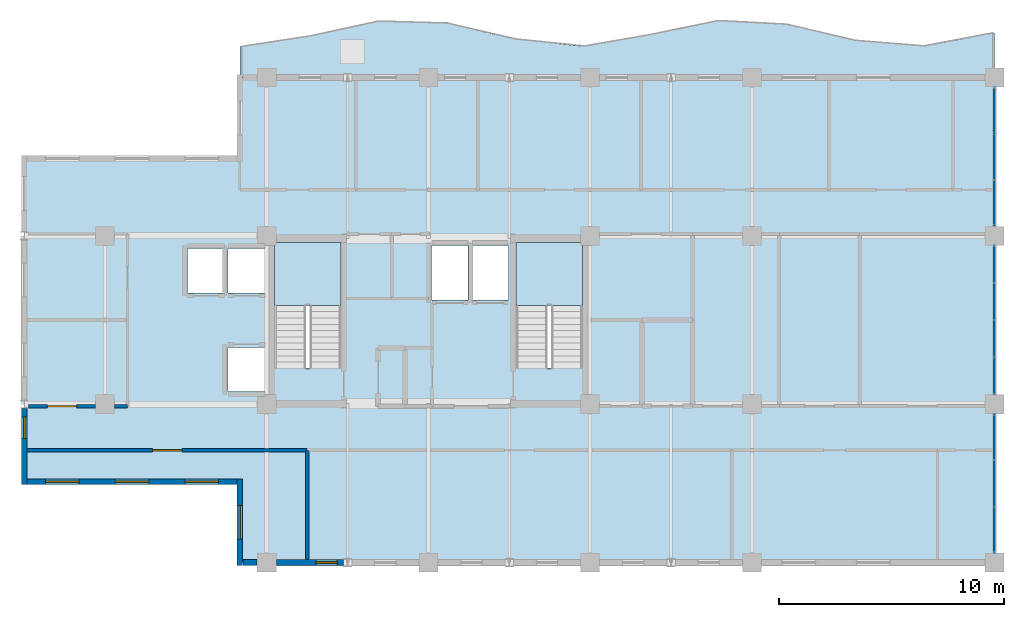
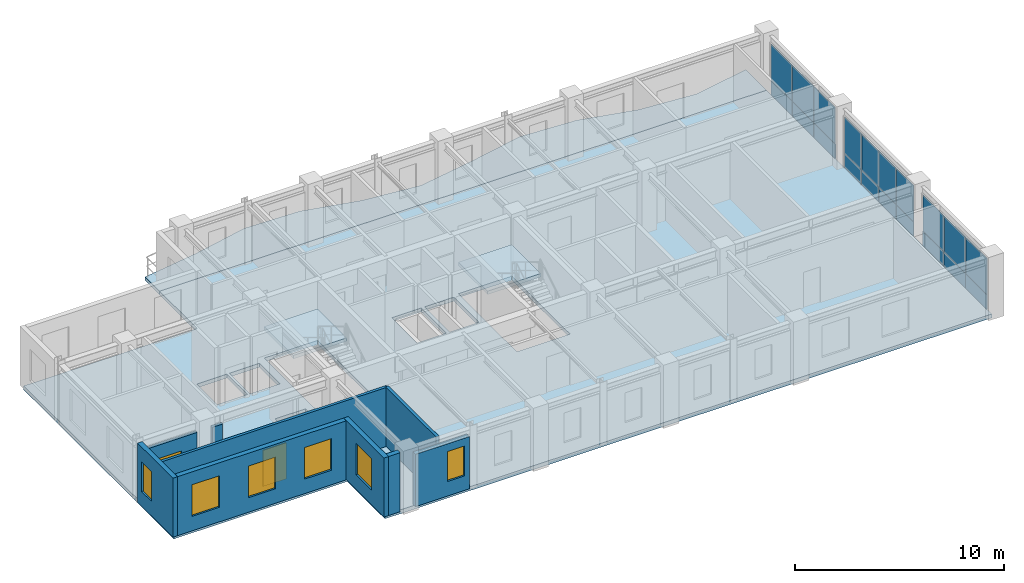
# One storey, part 5 of 10: 20 plates, 9 walls, 6 windows, 4 slabs, 2 doors, 8 openings, 5 elements without a shape of their own.
"""IFC4 building model written with IfcOpenShell, lengths in metres."""

from ifc_helpers import new_model, si_unit, direction, frame, frame_2d, origin, origin_2d, place, context, subcontext, project, spatial, polyline, rectangle, outline, extrude, source, transform, mapped, material, layer, layer_set, type_object, element, fill, aggregate, save


model = new_model("IFC4")

# Units and contexts
model_context = context("Model", 3, precision=1e-05, world=origin(), true_north=direction((0.0, 1.0)))
body_context = subcontext(model_context, "Body", "Model", "MODEL_VIEW")
ifc_project = project(units=[si_unit("LENGTHUNIT", "METRE"), si_unit("AREAUNIT", "SQUARE_METRE"), si_unit("VOLUMEUNIT", "CUBIC_METRE"), si_unit("PLANEANGLEUNIT", "RADIAN"), si_unit("MASSUNIT", "GRAM", prefix="KILO")], contexts=[model_context])

# Site, building, storey
site_placement = place(None, origin())
site = spatial("IfcSite", under=ifc_project, at=site_placement, CompositionType="ELEMENT")
building_placement = place(site_placement, origin())
building = spatial("IfcBuilding", under=site, at=building_placement, Name="Kaliganga Portal Commons", CompositionType="ELEMENT")
storey_placement = place(building_placement, frame((0.0, 0.0, 275.800048828125)))
storey = spatial("IfcBuildingStorey", under=building, at=storey_placement, Name="L71", CompositionType="ELEMENT", Elevation=275.800048828125)

# Slab
ifc_material_1 = material(Name="Concrete C40/50", Category="concrete")
ifc_layer_1 = layer(ifc_material_1, 0.2099609375)
ifc_layer_set_1 = layer_set([ifc_layer_1], Name="Concrete C40/50")
slab_type_1 = type_object("IfcSlabType", Name="SLB-BALC-210", PredefinedType="FLOOR", material=ifc_layer_set_1)
slab_1_placement = place(storey_placement, frame((0.0, 0.0, -0.2099609375)))
element("IfcSlab", 1, at=slab_1_placement, inside=storey, type_object=slab_type_1, Name="Scalloped Tree-Planter Balcony Slab L71 balc_north", PredefinedType="FLOOR", context=body_context, shape_type="SweptSolid", body=[
    extrude(outline(polyline([(46.800048828125, 43.199951171875), (46.800048828125, 45.19091796875), (43.74560546875, 44.607666015625), (40.69091796875, 44.85595703125), (37.636474609375, 45.581787109375), (34.581787109375, 45.75048828125), (31.52734375, 45.12158203125), (28.47265625, 44.591552734375), (25.418212890625, 44.916015625), (22.363525390625, 45.632568359375), (19.30908203125, 45.719482421875), (16.25439453125, 45.052978515625), (13.199951171875, 44.583251953125), (13.199951171875, 43.199951171875), (46.800048828125, 43.199951171875)])), origin(), (0.0, 0.0, 1.0), 0.2099609375),
])

# Stair, slab
stair_type = type_object("IfcStairType", Name="ST-CORE-DOGLEG", PredefinedType="HALF_TURN_STAIR", material=ifc_material_1)
stair_1_placement = place(storey_placement, origin())
stair_1 = element("IfcStair", 2, at=stair_1_placement, inside=storey, type_object=stair_type, Name="L71 Protected Exit Stair ST-A1", PredefinedType="HALF_TURN_STAIR")
ifc_layer_2 = layer(ifc_material_1, 0.199951171875)
ifc_layer_set_2 = layer_set([ifc_layer_2], Name="Concrete C40/50")
slab_type_2 = type_object("IfcSlabType", Name="SLB-STAIR-LND", PredefinedType="LANDING", material=ifc_layer_set_2)
slab_2_placement = place(storey_placement, frame((0.0, 0.0, 1.64990234375)))
slab_2 = element("IfcSlab", 3, at=slab_2_placement, type_object=slab_type_2, Name="ST-A1 landing 1", PredefinedType="LANDING", context=body_context, shape_type="SweptSolid", body=[
    extrude(outline(polyline([(17.699951171875, 33.050048828125), (17.699951171875, 35.85009765625), (14.75, 35.85009765625), (14.75, 33.050048828125), (17.699951171875, 33.050048828125)])), origin(), (0.0, 0.0, 1.0), 0.199951171875),
])
aggregate(stair_1, [slab_2])

stair_2_placement = place(storey_placement, origin())
stair_2 = element("IfcStair", 4, at=stair_2_placement, inside=storey, type_object=stair_type, Name="L71 Protected Exit Stair ST-A2", PredefinedType="HALF_TURN_STAIR")
slab_3_placement = place(storey_placement, frame((0.0, 0.0, 1.64990234375)))
slab_3 = element("IfcSlab", 5, at=slab_3_placement, type_object=slab_type_2, Name="ST-A2 landing 1", PredefinedType="LANDING", context=body_context, shape_type="SweptSolid", body=[
    extrude(outline(polyline([(28.449951171875, 33.050048828125), (28.449951171875, 35.85009765625), (25.5, 35.85009765625), (25.5, 33.050048828125), (28.449951171875, 33.050048828125)])), origin(), (0.0, 0.0, 1.0), 0.199951171875),
])
aggregate(stair_2, [slab_3])

# Slab
ifc_layer_3 = layer(ifc_material_1, 0.22509765625)
ifc_layer_set_3 = layer_set([ifc_layer_3], Name="Concrete C40/50")
slab_type_3 = type_object("IfcSlabType", Name="SLB-TWR-220", PredefinedType="FLOOR", material=ifc_layer_set_3)
slab_4_placement = place(storey_placement, frame((0.0, 0.0, -0.22509765625)))
element("IfcSlab", 6, at=slab_4_placement, inside=storey, type_object=slab_type_3, Name="Structural Floor Slab L71", PredefinedType="FLOOR", context=body_context, shape_type="SweptSolid", body=[
    extrude(outline(polyline([(13.199951171875, 21.60009765625), (46.800048828125, 21.60009765625), (46.800048828125, 43.199951171875), (13.199951171875, 43.199951171875), (13.199951171875, 39.60009765625), (3.60009765625, 39.60009765625), (3.60009765625, 25.199951171875), (13.199951171875, 25.199951171875), (13.199951171875, 21.60009765625)]), holes=[polyline([(14.75, 30.25390625), (14.75, 35.85009765625), (17.699951171875, 35.85009765625), (17.699951171875, 30.25390625), (14.75, 30.25390625)]), polyline([(25.5, 30.25390625), (25.5, 35.85009765625), (28.449951171875, 35.85009765625), (28.449951171875, 30.25390625), (25.5, 30.25390625)]), polyline([(12.6650390625, 33.614990234375), (12.6650390625, 35.5849609375), (14.3349609375, 35.5849609375), (14.3349609375, 33.614990234375), (12.6650390625, 33.614990234375)]), polyline([(12.6650390625, 29.215087890625), (12.6650390625, 31.18505859375), (14.3349609375, 31.18505859375), (14.3349609375, 29.215087890625), (12.6650390625, 29.215087890625)]), polyline([(10.864990234375, 33.614990234375), (10.864990234375, 35.5849609375), (12.534912109375, 35.5849609375), (12.534912109375, 33.614990234375), (10.864990234375, 33.614990234375)]), polyline([(21.739990234375, 33.2900390625), (21.739990234375, 35.7099609375), (23.360107421875, 35.7099609375), (23.360107421875, 33.2900390625), (21.739990234375, 33.2900390625)]), polyline([(23.5400390625, 33.2900390625), (23.5400390625, 35.7099609375), (25.159912109375, 35.7099609375), (25.159912109375, 33.2900390625), (23.5400390625, 33.2900390625)])]), origin(), (0.0, 0.0, 1.0), 0.22509765625),
])

# Curtain wall, plates
ifc_material_2 = material(Name="Anodized Aluminium and Laminated Low-E Glass", Category="aluminium")
ifc_layer_4 = layer(ifc_material_2, 0.18994140625)
ifc_layer_set_4 = layer_set([ifc_layer_4], Name="Anodized Aluminium and Laminated Low-E Glass")
curtain_wall_type = type_object("IfcCurtainWallType", Name="CW-SYS-05", PredefinedType="NOTDEFINED", material=ifc_layer_set_4)
curtain_wall_1_placement = place(storey_placement, origin())
curtain_wall_1 = element("IfcCurtainWall", 7, at=curtain_wall_1_placement, inside=storey, type_object=curtain_wall_type, Name="CW 05 L71 P1E01S1", PredefinedType="NOTDEFINED")
ifc_material_3 = material(Name="Insulated Dark Spandrel Panel", Category="metal")
ifc_layer_5 = layer(ifc_material_3, 0.044921875)
ifc_layer_set_5 = layer_set([ifc_layer_5], Name="Insulated Dark Spandrel Panel")
plate_type_1 = type_object("IfcPlateType", Name="PLT-SPN-45", PredefinedType="SHEET", material=ifc_layer_set_5)
shared_shape_1 = source(origin(), body_context, "Body", "SweptSolid", [
    extrude(rectangle(XDim=2.02587890625, YDim=0.044921875, at=origin_2d()), origin(), (0.0, 0.0, 1.0), 0.841064453125),
])
plate_1_placement = place(storey_placement, frame((46.800048828125, 23.05908203125, 0.009765625), z_axis=(0.0, 0.0, 1.0), x_axis=(0.0, 1.0, 0.0)))
plate_1 = element("IfcPlate", 8, at=plate_1_placement, type_object=plate_type_1, Name="CW:05:L71:P1E01S1 Spandrel 00", PredefinedType="SHEET", context=body_context, shape_type="MappedRepresentation", body=[
    mapped(shared_shape_1, transform((0.0, 0.0, 0.0), x_axis=(1.0, 0.0, 0.0), y_axis=(0.0, 1.0, 0.0), z_axis=(0.0, 0.0, 1.0), scale=1.0)),
])
plate_2_placement = place(storey_placement, frame((46.800048828125, 25.125, 0.009765625), z_axis=(0.0, 0.0, 1.0), x_axis=(0.0, 1.0, 0.0)))
plate_2 = element("IfcPlate", 9, at=plate_2_placement, type_object=plate_type_1, Name="CW:05:L71:P1E01S1 Spandrel 01", PredefinedType="SHEET", context=body_context, shape_type="MappedRepresentation", body=[
    mapped(shared_shape_1, transform((0.0, 0.0, 0.0), x_axis=(1.0, 0.0, 0.0), y_axis=(0.0, 1.0, 0.0), z_axis=(0.0, 0.0, 1.0), scale=1.0)),
])
plate_3_placement = place(storey_placement, frame((46.800048828125, 27.19091796875, 0.009765625), z_axis=(0.0, 0.0, 1.0), x_axis=(0.0, 1.0, 0.0)))
plate_3 = element("IfcPlate", 10, at=plate_3_placement, type_object=plate_type_1, Name="CW:05:L71:P1E01S1 Spandrel 02", PredefinedType="SHEET", context=body_context, shape_type="MappedRepresentation", body=[
    mapped(shared_shape_1, transform((0.0, 0.0, 0.0), x_axis=(1.0, 0.0, 0.0), y_axis=(0.0, 1.0, 0.0), z_axis=(0.0, 0.0, 1.0), scale=1.0)),
])

curtain_wall_2_placement = place(storey_placement, origin())
curtain_wall_2 = element("IfcCurtainWall", 11, at=curtain_wall_2_placement, inside=storey, type_object=curtain_wall_type, Name="CW 05 L71 P1E01S3", PredefinedType="NOTDEFINED")
plate_4_placement = place(storey_placement, frame((46.800048828125, 37.60888671875, 0.009765625), z_axis=(0.0, 0.0, 1.0), x_axis=(0.0, 1.0, 0.0)))
plate_4 = element("IfcPlate", 12, at=plate_4_placement, type_object=plate_type_1, Name="CW:05:L71:P1E01S3 Spandrel 00", PredefinedType="SHEET", context=body_context, shape_type="MappedRepresentation", body=[
    mapped(shared_shape_1, transform((0.0, 0.0, 0.0), x_axis=(1.0, 0.0, 0.0), y_axis=(0.0, 1.0, 0.0), z_axis=(0.0, 0.0, 1.0), scale=1.0)),
])
plate_5_placement = place(storey_placement, frame((46.800048828125, 39.675048828125, 0.009765625), z_axis=(0.0, 0.0, 1.0), x_axis=(0.0, 1.0, 0.0)))
plate_5 = element("IfcPlate", 13, at=plate_5_placement, type_object=plate_type_1, Name="CW:05:L71:P1E01S3 Spandrel 01", PredefinedType="SHEET", context=body_context, shape_type="MappedRepresentation", body=[
    mapped(shared_shape_1, transform((0.0, 0.0, 0.0), x_axis=(1.0, 0.0, 0.0), y_axis=(0.0, 1.0, 0.0), z_axis=(0.0, 0.0, 1.0), scale=1.0)),
])
plate_6_placement = place(storey_placement, frame((46.800048828125, 41.740966796875, 0.009765625), z_axis=(0.0, 0.0, 1.0), x_axis=(0.0, 1.0, 0.0)))
plate_6 = element("IfcPlate", 14, at=plate_6_placement, type_object=plate_type_1, Name="CW:05:L71:P1E01S3 Spandrel 02", PredefinedType="SHEET", context=body_context, shape_type="MappedRepresentation", body=[
    mapped(shared_shape_1, transform((0.0, 0.0, 0.0), x_axis=(1.0, 0.0, 0.0), y_axis=(0.0, 1.0, 0.0), z_axis=(0.0, 0.0, 1.0), scale=1.0)),
])

# Plate
ifc_material_4 = material(Name="Dark Solar-Control Laminated Low-E IGU", Category="glass")
ifc_layer_6 = layer(ifc_material_4, 0.028076171875)
ifc_layer_set_6 = layer_set([ifc_layer_6], Name="Dark Solar-Control Laminated Low-E IGU")
plate_type_2 = type_object("IfcPlateType", Name="PLT-GLZ-28", PredefinedType="CURTAIN_PANEL", material=ifc_layer_set_6)
shared_shape_2 = source(origin(), body_context, "Body", "SweptSolid", [
    extrude(rectangle(XDim=2.02587890625, YDim=0.028076171875, at=origin_2d()), origin(), (0.0, 0.0, 1.0), 2.114013671875),
])
plate_7_placement = place(storey_placement, frame((46.800048828125, 23.05908203125, 0.87109375), z_axis=(0.0, 0.0, 1.0), x_axis=(0.0, 1.0, 0.0)))
plate_7 = element("IfcPlate", 15, at=plate_7_placement, type_object=plate_type_2, Name="CW:05:L71:P1E01S1 Vision IGU 00", PredefinedType="CURTAIN_PANEL", context=body_context, shape_type="MappedRepresentation", body=[
    mapped(shared_shape_2, transform((0.0, 0.0, 0.0), x_axis=(1.0, 0.0, 0.0), y_axis=(0.0, 1.0, 0.0), z_axis=(0.0, 0.0, 1.0), scale=1.0)),
])

plate_8_placement = place(storey_placement, frame((46.800048828125, 25.125, 0.87109375), z_axis=(0.0, 0.0, 1.0), x_axis=(0.0, 1.0, 0.0)))
plate_8 = element("IfcPlate", 16, at=plate_8_placement, type_object=plate_type_2, Name="CW:05:L71:P1E01S1 Vision IGU 01", PredefinedType="CURTAIN_PANEL", context=body_context, shape_type="MappedRepresentation", body=[
    mapped(shared_shape_2, transform((0.0, 0.0, 0.0), x_axis=(1.0, 0.0, 0.0), y_axis=(0.0, 1.0, 0.0), z_axis=(0.0, 0.0, 1.0), scale=1.0)),
])

plate_9_placement = place(storey_placement, frame((46.800048828125, 27.19091796875, 0.87109375), z_axis=(0.0, 0.0, 1.0), x_axis=(0.0, 1.0, 0.0)))
plate_9 = element("IfcPlate", 17, at=plate_9_placement, type_object=plate_type_2, Name="CW:05:L71:P1E01S1 Vision IGU 02", PredefinedType="CURTAIN_PANEL", context=body_context, shape_type="MappedRepresentation", body=[
    mapped(shared_shape_2, transform((0.0, 0.0, 0.0), x_axis=(1.0, 0.0, 0.0), y_axis=(0.0, 1.0, 0.0), z_axis=(0.0, 0.0, 1.0), scale=1.0)),
])

aggregate(curtain_wall_1, [plate_1, plate_7, plate_2, plate_8, plate_3, plate_9])

plate_10_placement = place(storey_placement, frame((46.800048828125, 37.60888671875, 0.87109375), z_axis=(0.0, 0.0, 1.0), x_axis=(0.0, 1.0, 0.0)))
plate_10 = element("IfcPlate", 18, at=plate_10_placement, type_object=plate_type_2, Name="CW:05:L71:P1E01S3 Vision IGU 00", PredefinedType="CURTAIN_PANEL", context=body_context, shape_type="MappedRepresentation", body=[
    mapped(shared_shape_2, transform((0.0, 0.0, 0.0), x_axis=(1.0, 0.0, 0.0), y_axis=(0.0, 1.0, 0.0), z_axis=(0.0, 0.0, 1.0), scale=1.0)),
])

plate_11_placement = place(storey_placement, frame((46.800048828125, 39.675048828125, 0.87109375), z_axis=(0.0, 0.0, 1.0), x_axis=(0.0, 1.0, 0.0)))
plate_11 = element("IfcPlate", 19, at=plate_11_placement, type_object=plate_type_2, Name="CW:05:L71:P1E01S3 Vision IGU 01", PredefinedType="CURTAIN_PANEL", context=body_context, shape_type="MappedRepresentation", body=[
    mapped(shared_shape_2, transform((0.0, 0.0, 0.0), x_axis=(1.0, 0.0, 0.0), y_axis=(0.0, 1.0, 0.0), z_axis=(0.0, 0.0, 1.0), scale=1.0)),
])

plate_12_placement = place(storey_placement, frame((46.800048828125, 41.740966796875, 0.87109375), z_axis=(0.0, 0.0, 1.0), x_axis=(0.0, 1.0, 0.0)))
plate_12 = element("IfcPlate", 20, at=plate_12_placement, type_object=plate_type_2, Name="CW:05:L71:P1E01S3 Vision IGU 02", PredefinedType="CURTAIN_PANEL", context=body_context, shape_type="MappedRepresentation", body=[
    mapped(shared_shape_2, transform((0.0, 0.0, 0.0), x_axis=(1.0, 0.0, 0.0), y_axis=(0.0, 1.0, 0.0), z_axis=(0.0, 0.0, 1.0), scale=1.0)),
])

aggregate(curtain_wall_2, [plate_4, plate_10, plate_5, plate_11, plate_6, plate_12])

# Curtain wall, plates
curtain_wall_3_placement = place(storey_placement, origin())
curtain_wall_3 = element("IfcCurtainWall", 21, at=curtain_wall_3_placement, inside=storey, type_object=curtain_wall_type, Name="CW 05 L71 P1E01S2", PredefinedType="NOTDEFINED")
shared_shape_3 = source(origin(), body_context, "Body", "SweptSolid", [
    extrude(rectangle(XDim=1.6220703125, YDim=0.044921875, at=origin_2d()), origin(), (0.0, 0.0, 1.0), 0.841064453125),
])
plate_13_placement = place(storey_placement, frame((46.800048828125, 29.906982421875, 0.009765625), z_axis=(0.0, 0.0, 1.0), x_axis=(0.0, 1.0, 0.0)))
plate_13 = element("IfcPlate", 22, at=plate_13_placement, type_object=plate_type_1, Name="CW:05:L71:P1E01S2 Spandrel 00", PredefinedType="SHEET", context=body_context, shape_type="MappedRepresentation", body=[
    mapped(shared_shape_3, transform((0.0, 0.0, 0.0), x_axis=(1.0, 0.0, 0.0), y_axis=(0.0, 1.0, 0.0), z_axis=(0.0, 0.0, 1.0), scale=1.0)),
])
plate_14_placement = place(storey_placement, frame((46.800048828125, 31.569091796875, 0.009765625), z_axis=(0.0, 0.0, 1.0), x_axis=(0.0, 1.0, 0.0)))
plate_14 = element("IfcPlate", 23, at=plate_14_placement, type_object=plate_type_1, Name="CW:05:L71:P1E01S2 Spandrel 01", PredefinedType="SHEET", context=body_context, shape_type="MappedRepresentation", body=[
    mapped(shared_shape_3, transform((0.0, 0.0, 0.0), x_axis=(1.0, 0.0, 0.0), y_axis=(0.0, 1.0, 0.0), z_axis=(0.0, 0.0, 1.0), scale=1.0)),
])
plate_15_placement = place(storey_placement, frame((46.800048828125, 33.23095703125, 0.009765625), z_axis=(0.0, 0.0, 1.0), x_axis=(0.0, 1.0, 0.0)))
plate_15 = element("IfcPlate", 24, at=plate_15_placement, type_object=plate_type_1, Name="CW:05:L71:P1E01S2 Spandrel 02", PredefinedType="SHEET", context=body_context, shape_type="MappedRepresentation", body=[
    mapped(shared_shape_3, transform((0.0, 0.0, 0.0), x_axis=(1.0, 0.0, 0.0), y_axis=(0.0, 1.0, 0.0), z_axis=(0.0, 0.0, 1.0), scale=1.0)),
])
plate_16_placement = place(storey_placement, frame((46.800048828125, 34.89306640625, 0.009765625), z_axis=(0.0, 0.0, 1.0), x_axis=(0.0, 1.0, 0.0)))
plate_16 = element("IfcPlate", 25, at=plate_16_placement, type_object=plate_type_1, Name="CW:05:L71:P1E01S2 Spandrel 03", PredefinedType="SHEET", context=body_context, shape_type="MappedRepresentation", body=[
    mapped(shared_shape_3, transform((0.0, 0.0, 0.0), x_axis=(1.0, 0.0, 0.0), y_axis=(0.0, 1.0, 0.0), z_axis=(0.0, 0.0, 1.0), scale=1.0)),
])
shared_shape_4 = source(origin(), body_context, "Body", "SweptSolid", [
    extrude(rectangle(XDim=1.6220703125, YDim=0.028076171875, at=origin_2d()), origin(), (0.0, 0.0, 1.0), 2.114013671875),
])
plate_17_placement = place(storey_placement, frame((46.800048828125, 29.906982421875, 0.87109375), z_axis=(0.0, 0.0, 1.0), x_axis=(0.0, 1.0, 0.0)))
plate_17 = element("IfcPlate", 26, at=plate_17_placement, type_object=plate_type_2, Name="CW:05:L71:P1E01S2 Vision IGU 00", PredefinedType="CURTAIN_PANEL", context=body_context, shape_type="MappedRepresentation", body=[
    mapped(shared_shape_4, transform((0.0, 0.0, 0.0), x_axis=(1.0, 0.0, 0.0), y_axis=(0.0, 1.0, 0.0), z_axis=(0.0, 0.0, 1.0), scale=1.0)),
])
plate_18_placement = place(storey_placement, frame((46.800048828125, 31.569091796875, 0.87109375), z_axis=(0.0, 0.0, 1.0), x_axis=(0.0, 1.0, 0.0)))
plate_18 = element("IfcPlate", 27, at=plate_18_placement, type_object=plate_type_2, Name="CW:05:L71:P1E01S2 Vision IGU 01", PredefinedType="CURTAIN_PANEL", context=body_context, shape_type="MappedRepresentation", body=[
    mapped(shared_shape_4, transform((0.0, 0.0, 0.0), x_axis=(1.0, 0.0, 0.0), y_axis=(0.0, 1.0, 0.0), z_axis=(0.0, 0.0, 1.0), scale=1.0)),
])
plate_19_placement = place(storey_placement, frame((46.800048828125, 33.23095703125, 0.87109375), z_axis=(0.0, 0.0, 1.0), x_axis=(0.0, 1.0, 0.0)))
plate_19 = element("IfcPlate", 28, at=plate_19_placement, type_object=plate_type_2, Name="CW:05:L71:P1E01S2 Vision IGU 02", PredefinedType="CURTAIN_PANEL", context=body_context, shape_type="MappedRepresentation", body=[
    mapped(shared_shape_4, transform((0.0, 0.0, 0.0), x_axis=(1.0, 0.0, 0.0), y_axis=(0.0, 1.0, 0.0), z_axis=(0.0, 0.0, 1.0), scale=1.0)),
])
plate_20_placement = place(storey_placement, frame((46.800048828125, 34.89306640625, 0.87109375), z_axis=(0.0, 0.0, 1.0), x_axis=(0.0, 1.0, 0.0)))
plate_20 = element("IfcPlate", 29, at=plate_20_placement, type_object=plate_type_2, Name="CW:05:L71:P1E01S2 Vision IGU 03", PredefinedType="CURTAIN_PANEL", context=body_context, shape_type="MappedRepresentation", body=[
    mapped(shared_shape_4, transform((0.0, 0.0, 0.0), x_axis=(1.0, 0.0, 0.0), y_axis=(0.0, 1.0, 0.0), z_axis=(0.0, 0.0, 1.0), scale=1.0)),
])
aggregate(curtain_wall_3, [plate_13, plate_17, plate_14, plate_18, plate_15, plate_19, plate_16, plate_20])

# Wall
ifc_material_5 = material(Name="Insulated Aluminium-Clad Spandrel Assembly", Category="aluminium")
ifc_layer_7 = layer(ifc_material_5, 0.260009765625)
ifc_layer_set_7 = layer_set([ifc_layer_7], Name="Insulated Aluminium-Clad Spandrel Assembly")
wall_type_1 = type_object("IfcWallType", Name="WL-EXT-SPAND-260", PredefinedType="STANDARD", material=ifc_layer_set_7)
wall_1_placement = place(storey_placement, frame((13.97412109375, 21.60009765625, 0.0), z_axis=(0.0, 0.0, 1.0), x_axis=(-1.0, 0.0, 0.0)))
element("IfcWall", 30, at=wall_1_placement, inside=storey, type_object=wall_type_1, Name="Exterior Envelope Wall L71 P1-E00-S1", PredefinedType="STANDARD", context=body_context, shape_type="SweptSolid", body=[
    extrude(rectangle(XDim=0.63916015625, YDim=0.260009765625, at=frame_2d((0.319580078125, 0.0))), origin(), (0.0, 0.0, 1.0), 3.454833984375),
])

# Wall, opening, window
wall_2_placement = place(storey_placement, frame((17.81201171875, 21.60009765625, 0.0), z_axis=(0.0, 0.0, 1.0), x_axis=(-1.0, 0.0, 0.0)))
wall_2 = element("IfcWall", 31, at=wall_2_placement, inside=storey, type_object=wall_type_1, Name="Exterior Envelope Wall L71 P1-E00-S2", PredefinedType="STANDARD", context=body_context, shape_type="SweptSolid", body=[
    extrude(rectangle(XDim=2.986083984375, YDim=0.260009765625, at=frame_2d((1.4931640625, 0.0))), origin(), (0.0, 0.0, 1.0), 3.054931640625),
])
opening_1_placement = place(wall_2_placement, frame((0.277587890625, 0.0, 0.85009765625)))
opening_1 = element("IfcOpeningElement", 32, at=opening_1_placement, cuts=wall_2, Name="Opening W-04", PredefinedType="OPENING", context=body_context, shape_type="SweptSolid", body=[
    extrude(rectangle(XDim=0.949951171875, YDim=1.75, at=frame_2d((0.47509765625, 0.875))), frame((0.0, 0.14013671875, 0.0), z_axis=(0.0, -1.0, 0.0), x_axis=(1.0, 0.0, 0.0)), (0.0, 0.0, 1.0), 0.280029296875),
])
ifc_material_6 = material(Name="Thermally Broken Aluminium and Low-E Double Glazing", Category="aluminium")
window_type_1 = type_object("IfcWindowType", Name="WIN-NARROW-950", PartitioningType="SINGLE_PANEL", PredefinedType="WINDOW", material=ifc_material_6)
window_1_placement = place(opening_1_placement, origin())
window_1 = element("IfcWindow", 33, at=window_1_placement, inside=storey, type_object=window_type_1, Name="Facade Window L71-P1E00S2-N1", OverallHeight=1.75, OverallWidth=0.949951171875, PartitioningType="SINGLE_PANEL", PredefinedType="WINDOW", context=body_context, shape_type="SweptSolid", body=[
    extrude(rectangle(XDim=0.949951171875, YDim=1.75, at=frame_2d((0.47509765625, 0.875))), frame((0.0, 0.030029296875, 0.0), z_axis=(0.0, -1.0, 0.0), x_axis=(1.0, 0.0, 0.0)), (0.0, 0.0, 1.0), 0.06005859375),
])
fill(opening_1, window_1)

wall_3_placement = place(storey_placement, frame((3.60009765625, 25.070068359375, 0.0), z_axis=(0.0, 0.0, 1.0), x_axis=(0.0, 1.0, 0.0)))
wall_3 = element("IfcWall", 34, at=wall_3_placement, inside=storey, type_object=wall_type_1, Name="Exterior Envelope Wall L71 P1-E05-S3", PredefinedType="STANDARD", context=body_context, shape_type="SweptSolid", body=[
    extrude(rectangle(XDim=3.392822265625, YDim=0.260009765625, at=frame_2d((1.6962890625, 0.0))), origin(), (0.0, 0.0, 1.0), 3.454833984375),
])
opening_2_placement = place(wall_3_placement, frame((2.06298828125, 0.0, 0.85009765625)))
opening_2 = element("IfcOpeningElement", 35, at=opening_2_placement, cuts=wall_3, Name="Opening W-04", PredefinedType="OPENING", context=body_context, shape_type="SweptSolid", body=[
    extrude(rectangle(XDim=0.949951171875, YDim=1.75, at=frame_2d((0.47509765625, 0.875))), frame((0.0, 0.14013671875, 0.0), z_axis=(0.0, -1.0, 0.0), x_axis=(1.0, 0.0, 0.0)), (0.0, 0.0, 1.0), 0.280029296875),
])
window_2_placement = place(opening_2_placement, origin())
window_2 = element("IfcWindow", 36, at=window_2_placement, inside=storey, type_object=window_type_1, Name="Facade Window L71-P1E05S3-N2", OverallHeight=1.75, OverallWidth=0.949951171875, PartitioningType="SINGLE_PANEL", PredefinedType="WINDOW", context=body_context, shape_type="SweptSolid", body=[
    extrude(rectangle(XDim=0.949951171875, YDim=1.75, at=frame_2d((0.47509765625, 0.875))), frame((0.0, 0.030029296875, 0.0), z_axis=(0.0, -1.0, 0.0), x_axis=(1.0, 0.0, 0.0)), (0.0, 0.0, 1.0), 0.06005859375),
])
fill(opening_2, window_2)

# Wall, openings, windows
wall_4_placement = place(storey_placement, frame((13.06494140625, 25.199951171875, 0.0), z_axis=(0.0, 0.0, 1.0), x_axis=(-1.0, 0.0, 0.0)))
wall_4 = element("IfcWall", 37, at=wall_4_placement, inside=storey, type_object=wall_type_1, Name="Exterior Envelope Wall L71 P1-E06-S1", PredefinedType="STANDARD", context=body_context, shape_type="SweptSolid", body=[
    extrude(rectangle(XDim=9.329833984375, YDim=0.260009765625, at=frame_2d((4.6650390625, 0.0))), origin(), (0.0, 0.0, 1.0), 3.454833984375),
])
opening_3_placement = place(wall_4_placement, frame((0.804931640625, 0.0, 0.85009765625)))
opening_3 = element("IfcOpeningElement", 38, at=opening_3_placement, cuts=wall_4, Name="Opening W-02", PredefinedType="OPENING", context=body_context, shape_type="SweptSolid", body=[
    extrude(rectangle(XDim=1.5, YDim=1.85009765625, at=frame_2d((0.75, 0.925048828125))), frame((0.0, 0.14013671875, 0.0), z_axis=(0.0, -1.0, 0.0), x_axis=(1.0, 0.0, 0.0)), (0.0, 0.0, 1.0), 0.280029296875),
])
opening_4_placement = place(wall_4_placement, frame((3.9150390625, 0.0, 0.85009765625)))
opening_4 = element("IfcOpeningElement", 39, at=opening_4_placement, cuts=wall_4, Name="Opening W-02", PredefinedType="OPENING", context=body_context, shape_type="SweptSolid", body=[
    extrude(rectangle(XDim=1.5, YDim=1.85009765625, at=frame_2d((0.75, 0.925048828125))), frame((0.0, 0.14013671875, 0.0), z_axis=(0.0, -1.0, 0.0), x_axis=(1.0, 0.0, 0.0)), (0.0, 0.0, 1.0), 0.280029296875),
])
opening_5_placement = place(wall_4_placement, frame((7.02490234375, 0.0, 0.85009765625)))
opening_5 = element("IfcOpeningElement", 40, at=opening_5_placement, cuts=wall_4, Name="Opening W-02", PredefinedType="OPENING", context=body_context, shape_type="SweptSolid", body=[
    extrude(rectangle(XDim=1.5, YDim=1.85009765625, at=frame_2d((0.75, 0.925048828125))), frame((0.0, 0.14013671875, 0.0), z_axis=(0.0, -1.0, 0.0), x_axis=(1.0, 0.0, 0.0)), (0.0, 0.0, 1.0), 0.280029296875),
])
window_type_2 = type_object("IfcWindowType", Name="WIN-STD-1500", PartitioningType="DOUBLE_PANEL_VERTICAL", PredefinedType="WINDOW", material=ifc_material_6)
window_3_placement = place(opening_3_placement, origin())
window_3 = element("IfcWindow", 41, at=window_3_placement, inside=storey, type_object=window_type_2, Name="Facade Window L71-P1E06S1-00", OverallHeight=1.85009765625, OverallWidth=1.5, PartitioningType="SINGLE_PANEL", PredefinedType="WINDOW", context=body_context, shape_type="SweptSolid", body=[
    extrude(rectangle(XDim=1.5, YDim=1.85009765625, at=frame_2d((0.75, 0.925048828125))), frame((0.0, 0.030029296875, 0.0), z_axis=(0.0, -1.0, 0.0), x_axis=(1.0, 0.0, 0.0)), (0.0, 0.0, 1.0), 0.06005859375),
])
fill(opening_3, window_3)
window_4_placement = place(opening_4_placement, origin())
window_4 = element("IfcWindow", 42, at=window_4_placement, inside=storey, type_object=window_type_2, Name="Facade Window L71-P1E06S1-01", OverallHeight=1.85009765625, OverallWidth=1.5, PartitioningType="SINGLE_PANEL", PredefinedType="WINDOW", context=body_context, shape_type="SweptSolid", body=[
    extrude(rectangle(XDim=1.5, YDim=1.85009765625, at=frame_2d((0.75, 0.925048828125))), frame((0.0, 0.030029296875, 0.0), z_axis=(0.0, -1.0, 0.0), x_axis=(1.0, 0.0, 0.0)), (0.0, 0.0, 1.0), 0.06005859375),
])
fill(opening_4, window_4)
window_5_placement = place(opening_5_placement, origin())
window_5 = element("IfcWindow", 43, at=window_5_placement, inside=storey, type_object=window_type_2, Name="Facade Window L71-P1E06S1-02", OverallHeight=1.85009765625, OverallWidth=1.5, PartitioningType="SINGLE_PANEL", PredefinedType="WINDOW", context=body_context, shape_type="SweptSolid", body=[
    extrude(rectangle(XDim=1.5, YDim=1.85009765625, at=frame_2d((0.75, 0.925048828125))), frame((0.0, 0.030029296875, 0.0), z_axis=(0.0, -1.0, 0.0), x_axis=(1.0, 0.0, 0.0)), (0.0, 0.0, 1.0), 0.06005859375),
])
fill(opening_5, window_5)

# Wall, opening, window
wall_5_placement = place(storey_placement, frame((13.199951171875, 21.469970703125, 0.0), z_axis=(0.0, 0.0, 1.0), x_axis=(0.0, 1.0, 0.0)))
wall_5 = element("IfcWall", 44, at=wall_5_placement, inside=storey, type_object=wall_type_1, Name="Exterior Envelope Wall L71 P1-E07-S1", PredefinedType="STANDARD", context=body_context, shape_type="SweptSolid", body=[
    extrude(rectangle(XDim=3.860107421875, YDim=0.260009765625, at=frame_2d((1.93017578125, 0.0))), origin(), (0.0, 0.0, 1.0), 3.454833984375),
])
opening_6_placement = place(wall_5_placement, frame((1.179931640625, 0.0, 0.85009765625)))
opening_6 = element("IfcOpeningElement", 45, at=opening_6_placement, cuts=wall_5, Name="Opening W-02", PredefinedType="OPENING", context=body_context, shape_type="SweptSolid", body=[
    extrude(rectangle(XDim=1.5, YDim=1.85009765625, at=frame_2d((0.75, 0.925048828125))), frame((0.0, 0.14013671875, 0.0), z_axis=(0.0, -1.0, 0.0), x_axis=(1.0, 0.0, 0.0)), (0.0, 0.0, 1.0), 0.280029296875),
])
window_6_placement = place(opening_6_placement, origin())
window_6 = element("IfcWindow", 46, at=window_6_placement, inside=storey, type_object=window_type_2, Name="Facade Window L71-P1E07S1-00", OverallHeight=1.85009765625, OverallWidth=1.5, PartitioningType="SINGLE_PANEL", PredefinedType="WINDOW", context=body_context, shape_type="SweptSolid", body=[
    extrude(rectangle(XDim=1.5, YDim=1.85009765625, at=frame_2d((0.75, 0.925048828125))), frame((0.0, 0.030029296875, 0.0), z_axis=(0.0, -1.0, 0.0), x_axis=(1.0, 0.0, 0.0)), (0.0, 0.0, 1.0), 0.06005859375),
])
fill(opening_6, window_6)

# Wall, opening, door
ifc_material_7 = material(Name="Fire-Rated Gypsum Board on Steel Stud", Category="steel")
ifc_layer_8 = layer(ifc_material_7, 0.14990234375)
ifc_layer_set_8 = layer_set([ifc_layer_8], Name="Fire-Rated Gypsum Board on Steel Stud")
wall_type_2 = type_object("IfcWallType", Name="WL-PART-CORR-150", PredefinedType="PARTITIONING", material=ifc_layer_set_8)
wall_6_placement = place(storey_placement, frame((3.73193359375, 26.60009765625, 0.0), z_axis=(0.0, 0.0, 1.0), x_axis=(1.0, 0.0, 0.0)))
wall_6 = element("IfcWall", 47, at=wall_6_placement, inside=storey, type_object=wall_type_2, Name="Interior Partition L71-002", PredefinedType="PARTITIONING", context=body_context, shape_type="SweptSolid", body=[
    extrude(rectangle(XDim=12.468017578125, YDim=0.14990234375, at=frame_2d((6.23388671875, 0.0))), origin(), (0.0, 0.0, 1.0), 3.454833984375),
])
opening_7_placement = place(wall_6_placement, frame((5.583984375, 0.0, 0.0)))
opening_7 = element("IfcOpeningElement", 48, at=opening_7_placement, cuts=wall_6, Name="Opening RD-03", PredefinedType="OPENING", context=body_context, shape_type="SweptSolid", body=[
    extrude(rectangle(XDim=1.300048828125, YDim=2.1201171875, at=frame_2d((0.64990234375, 1.06005859375))), frame((0.0, 0.0849609375, 0.0), z_axis=(0.0, -1.0, 0.0), x_axis=(1.0, 0.0, 0.0)), (0.0, 0.0, 1.0), 0.169921875),
])
ifc_material_8 = material(Name="Glazed Timber Seminar Vision Door", Category="wood")
door_type = type_object("IfcDoorType", Name="DR-STUDY-1300", OperationType="DOUBLE_DOOR_SINGLE_SWING", PredefinedType="DOOR", material=ifc_material_8)
door_1_placement = place(opening_7_placement, origin())
door_1 = element("IfcDoor", 49, at=door_1_placement, inside=storey, type_object=door_type, Name="Interior Door L71-AS01", OperationType="DOUBLE_DOOR_SINGLE_SWING", OverallHeight=2.1201171875, OverallWidth=1.300048828125, PredefinedType="DOOR", context=body_context, shape_type="SweptSolid", body=[
    extrude(rectangle(XDim=1.300048828125, YDim=2.1201171875, at=frame_2d((0.64990234375, 1.06005859375))), frame((0.0, 0.02490234375, 0.0), z_axis=(0.0, -1.0, 0.0), x_axis=(1.0, 0.0, 0.0)), (0.0, 0.0, 1.0), 0.050048828125),
])
fill(opening_7, door_1)

wall_7_placement = place(storey_placement, frame((3.787109375, 28.56005859375, 0.0), z_axis=(0.0, 0.0, 1.0), x_axis=(1.0, 0.0, 0.0)))
wall_7 = element("IfcWall", 50, at=wall_7_placement, inside=storey, type_object=wall_type_2, Name="Interior Partition L71-011", PredefinedType="PARTITIONING", context=body_context, shape_type="SweptSolid", body=[
    extrude(rectangle(XDim=2.98779296875, YDim=0.14990234375, at=frame_2d((1.493896484375, 0.0))), origin(), (0.0, 0.0, 1.0), 2.905029296875),
])
opening_8_placement = place(wall_7_placement, frame((0.843994140625, 0.0, 0.0)))
opening_8 = element("IfcOpeningElement", 51, at=opening_8_placement, cuts=wall_7, Name="Opening RD-03", PredefinedType="OPENING", context=body_context, shape_type="SweptSolid", body=[
    extrude(rectangle(XDim=1.300048828125, YDim=2.1201171875, at=frame_2d((0.64990234375, 1.06005859375))), frame((0.0, 0.0849609375, 0.0), z_axis=(0.0, -1.0, 0.0), x_axis=(1.0, 0.0, 0.0)), (0.0, 0.0, 1.0), 0.169921875),
])
door_2_placement = place(opening_8_placement, origin())
door_2 = element("IfcDoor", 52, at=door_2_placement, inside=storey, type_object=door_type, Name="Interior Door L71-AW01", OperationType="DOUBLE_DOOR_SINGLE_SWING", OverallHeight=2.1201171875, OverallWidth=1.300048828125, PredefinedType="DOOR", context=body_context, shape_type="SweptSolid", body=[
    extrude(rectangle(XDim=1.300048828125, YDim=2.1201171875, at=frame_2d((0.64990234375, 1.06005859375))), frame((0.0, 0.02490234375, 0.0), z_axis=(0.0, -1.0, 0.0), x_axis=(1.0, 0.0, 0.0)), (0.0, 0.0, 1.0), 0.050048828125),
])
fill(opening_8, door_2)

# Walls
wall_8_placement = place(storey_placement, frame((7.625, 28.56005859375, 0.0), z_axis=(0.0, 0.0, 1.0), x_axis=(1.0, 0.0, 0.0)))
element("IfcWall", 53, at=wall_8_placement, inside=storey, type_object=wall_type_2, Name="Interior Partition L71-012", PredefinedType="PARTITIONING", context=body_context, shape_type="SweptSolid", body=[
    extrude(rectangle(XDim=0.574951171875, YDim=0.14990234375, at=frame_2d((0.28759765625, 0.0))), origin(), (0.0, 0.0, 1.0), 2.905029296875),
])
ifc_material_9 = material(Name="Twin-Stud Acoustic Gypsum Partition", Category="gypsum")
ifc_layer_9 = layer(ifc_material_9, 0.1650390625)
ifc_layer_set_9 = layer_set([ifc_layer_9], Name="Twin-Stud Acoustic Gypsum Partition")
wall_type_3 = type_object("IfcWallType", Name="WL-PART-UNIT-165", PredefinedType="PARTITIONING", material=ifc_layer_set_9)
wall_9_placement = place(storey_placement, frame((16.199951171875, 21.73193359375, 0.0), z_axis=(0.0, 0.0, 1.0), x_axis=(0.0, 1.0, 0.0)))
element("IfcWall", 54, at=wall_9_placement, inside=storey, type_object=wall_type_3, Name="Interior Partition L71-039", PredefinedType="PARTITIONING", context=body_context, shape_type="SweptSolid", body=[
    extrude(rectangle(XDim=4.8681640625, YDim=0.1650390625, at=frame_2d((2.43408203125, 0.0))), origin(), (0.0, 0.0, 1.0), 3.454833984375),
])

save(model, "model.ifc")
